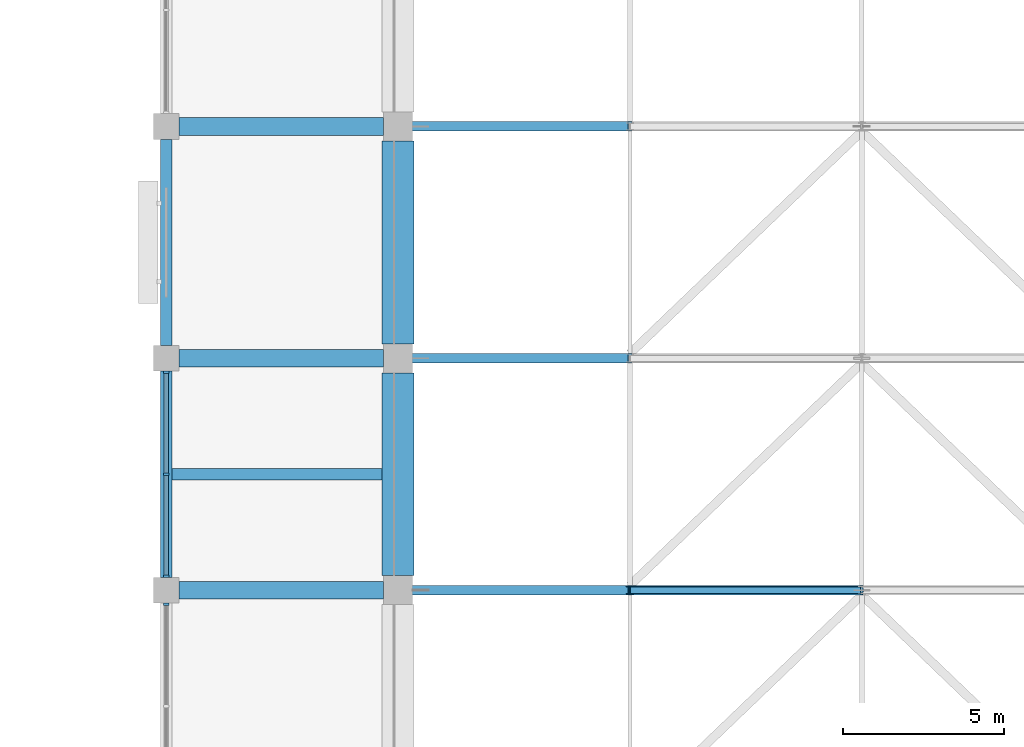
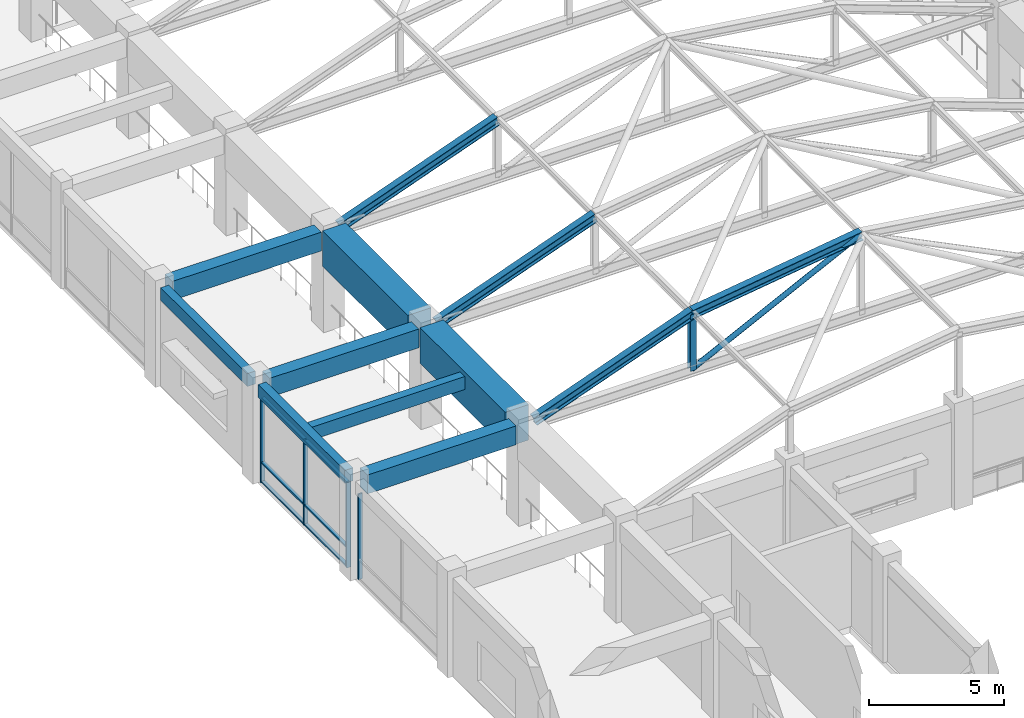
# One storey, part 36 of 75: 16 members, 8 beams, 2 elements without a shape of their own.
"""IFC4 building model written with IfcOpenShell, lengths in metres."""

from ifc_helpers import new_model, si_unit, direction, frame, origin, origin_2d, place, context, subcontext, project, spatial, rectangle, hollow_circle, i_section, extrude, material, layer, layer_set, material_profile, profile_set, type_object, element, aggregate, save


model = new_model("IFC4")

# Units and contexts
model_context = context("Model", 3, precision=1e-05, world=origin(), true_north=direction((0.0, 1.0)))
body_context = subcontext(model_context, "Body", "Model", "MODEL_VIEW")
ifc_project = project(units=[si_unit("LENGTHUNIT", "METRE"), si_unit("AREAUNIT", "SQUARE_METRE"), si_unit("VOLUMEUNIT", "CUBIC_METRE"), si_unit("PLANEANGLEUNIT", "RADIAN"), si_unit("MASSUNIT", "GRAM", prefix="KILO")], contexts=[model_context])

# Site, building, storey
site_placement = place(None, origin())
site = spatial("IfcSite", under=ifc_project, at=site_placement, CompositionType="ELEMENT")
building_placement = place(site_placement, origin())
building = spatial("IfcBuilding", under=site, at=building_placement, Name="Cendaluz Park School", CompositionType="ELEMENT")
storey_placement = place(building_placement, frame((0.0, 0.0, 4.800048828125)))
storey = spatial("IfcBuildingStorey", under=building, at=storey_placement, Name="L01", CompositionType="ELEMENT", Elevation=4.800048828125)

# Beams
ifc_material_1 = material(Name="Concrete C40/50", Category="concrete")
ifc_material_profile_1 = material_profile(ifc_material_1, rectangle(XDim=0.550048828125, YDim=0.85009765625, at=origin_2d()), Name="RC 550x850", Category="concrete")
ifc_profile_set_1 = profile_set([ifc_material_profile_1], Name="Concrete C40/50")
beam_type_1 = type_object("IfcBeamType", Name="BM-RC01", PredefinedType="BEAM", material=ifc_profile_set_1)
for number, where, z_axis, x_axis, name in (
    (1, (130.0, 64.800048828125, 4.0048828125), (1.0, 0.0, 0.0), (0.0, 1.0, 0.0), "BM-L01-BMRC01-0165"),
    (2, (130.0, 72.0, 4.0048828125), (1.0, 0.0, 0.0), (0.0, 1.0, 0.0), "BM-L01-BMRC01-0166"),
    (3, (130.0, 79.199951171875, 4.0048828125), (1.0, 0.0, 0.0), (0.0, 1.0, 0.0), "BM-L01-BMRC01-0167"),
):
    element("IfcBeam", number, at=place(storey_placement, frame(where, z_axis=z_axis, x_axis=x_axis)), inside=storey, type_object=beam_type_1, Name=name, PredefinedType="BEAM", context=body_context, shape_type="SweptSolid", body=[
        extrude(rectangle(XDim=0.550048828125, YDim=0.85009765625, at=origin_2d()), origin(), (0.0, 0.0, 1.0), 6.35009765625),
    ])
ifc_material_profile_2 = material_profile(ifc_material_1, rectangle(XDim=0.35009765625, YDim=0.580078125, at=origin_2d()), Name="RC 350x580", Category="concrete")
ifc_profile_set_2 = profile_set([ifc_material_profile_2], Name="Concrete C40/50")
beam_type_2 = type_object("IfcBeamType", Name="BM-RC04", PredefinedType="LINTEL", material=ifc_profile_set_2)
for number, where, z_axis, x_axis, name in (
    (4, (129.60009765625, 65.199951171875, 4.139892578125), (0.0, 1.0, 0.0), (-1.0, 0.0, 0.0), "BM-L01-BMRC04-0396"),
    (5, (129.60009765625, 72.39990234375, 4.139892578125), (0.0, 1.0, 0.0), (-1.0, 0.0, 0.0), "BM-L01-BMRC04-0397"),
):
    element("IfcBeam", number, at=place(storey_placement, frame(where, z_axis=z_axis, x_axis=x_axis)), inside=storey, type_object=beam_type_2, Name=name, PredefinedType="LINTEL", context=body_context, shape_type="SweptSolid", body=[
        extrude(rectangle(XDim=0.35009765625, YDim=0.580078125, at=origin_2d()), origin(), (0.0, 0.0, 1.0), 6.400146484375),
    ])

# Curtain wall, member
ifc_material_2 = material(Name="Anodised Aluminium 6063-T6", Category="aluminium")
ifc_layer = layer(ifc_material_2, 0.179931640625)
ifc_layer_set = layer_set([ifc_layer], Name="Anodised Aluminium 6063-T6")
curtain_wall_type = type_object("IfcCurtainWallType", Name="CW-128x77", PredefinedType="NOTDEFINED", material=ifc_layer_set)
curtain_wall_1_placement = place(storey_placement, origin())
curtain_wall_1 = element("IfcCurtainWall", 6, at=curtain_wall_1_placement, inside=storey, type_object=curtain_wall_type, Name="CW-L01-062", PredefinedType="NOTDEFINED")
ifc_material_profile_3 = material_profile(ifc_material_2, rectangle(XDim=0.179931640625, YDim=0.070068359375, at=origin_2d()), Name="CWM 180x70", Category="aluminium")
ifc_profile_set_3 = profile_set([ifc_material_profile_3], Name="Anodised Aluminium 6063-T6")
member_type_1 = type_object("IfcMemberType", Name="CWM-01", PredefinedType="MULLION", material=ifc_profile_set_3)
member_1_placement = place(storey_placement, frame((129.60009765625, 64.364990234375, 0.0), z_axis=(0.0, 0.0, 1.0), x_axis=(-1.0, 0.0, 0.0)))
member_1 = element("IfcMember", 7, at=member_1_placement, type_object=member_type_1, Name="CP-L01-0796", PredefinedType="MULLION", context=body_context, shape_type="SweptSolid", body=[
    extrude(rectangle(XDim=0.179931640625, YDim=0.070068359375, at=origin_2d()), origin(), (0.0, 0.0, 1.0), 3.849853515625),
])
aggregate(curtain_wall_1, [member_1])

# Curtain wall, members
curtain_wall_2_placement = place(storey_placement, origin())
curtain_wall_2 = element("IfcCurtainWall", 8, at=curtain_wall_2_placement, inside=storey, type_object=curtain_wall_type, Name="CW-L01-063", PredefinedType="NOTDEFINED")
member_2_placement = place(storey_placement, frame((129.60009765625, 65.235107421875, 0.0), z_axis=(0.0, 0.0, 1.0), x_axis=(-1.0, 0.0, 0.0)))
member_2 = element("IfcMember", 9, at=member_2_placement, type_object=member_type_1, Name="CP-L01-0807", PredefinedType="MULLION", context=body_context, shape_type="SweptSolid", body=[
    extrude(rectangle(XDim=0.179931640625, YDim=0.070068359375, at=origin_2d()), origin(), (0.0, 0.0, 1.0), 3.849853515625),
])
member_3_placement = place(storey_placement, frame((129.60009765625, 68.39990234375, 0.0), z_axis=(0.0, 0.0, 1.0), x_axis=(-1.0, 0.0, 0.0)))
member_3 = element("IfcMember", 10, at=member_3_placement, type_object=member_type_1, Name="CP-L01-0808", PredefinedType="MULLION", context=body_context, shape_type="SweptSolid", body=[
    extrude(rectangle(XDim=0.179931640625, YDim=0.070068359375, at=origin_2d()), origin(), (0.0, 0.0, 1.0), 3.849853515625),
])
member_4_placement = place(storey_placement, frame((129.60009765625, 71.56494140625, 0.0), z_axis=(0.0, 0.0, 1.0), x_axis=(-1.0, 0.0, 0.0)))
member_4 = element("IfcMember", 11, at=member_4_placement, type_object=member_type_1, Name="CP-L01-0809", PredefinedType="MULLION", context=body_context, shape_type="SweptSolid", body=[
    extrude(rectangle(XDim=0.179931640625, YDim=0.070068359375, at=origin_2d()), origin(), (0.0, 0.0, 1.0), 3.849853515625),
])
ifc_material_profile_4 = material_profile(ifc_material_2, rectangle(XDim=0.139892578125, YDim=0.070068359375, at=origin_2d()), Name="CWT 140x70", Category="aluminium")
ifc_profile_set_4 = profile_set([ifc_material_profile_4], Name="Anodised Aluminium 6063-T6")
member_type_2 = type_object("IfcMemberType", Name="CWT-01", PredefinedType="USERDEFINED", material=ifc_profile_set_4)
member_5_placement = place(storey_placement, frame((129.60009765625, 65.27001953125, 0.034912109375), z_axis=(0.0, 1.0, 0.0), x_axis=(-1.0, 0.0, 0.0)))
member_5 = element("IfcMember", 12, at=member_5_placement, type_object=member_type_2, Name="CP-L01-0810", ObjectType="TRANSOM", PredefinedType="USERDEFINED", context=body_context, shape_type="SweptSolid", body=[
    extrude(rectangle(XDim=0.139892578125, YDim=0.070068359375, at=origin_2d()), origin(), (0.0, 0.0, 1.0), 3.094970703125),
])
member_6_placement = place(storey_placement, frame((129.60009765625, 65.27001953125, 0.89990234375), z_axis=(0.0, 1.0, 0.0), x_axis=(-1.0, 0.0, 0.0)))
member_6 = element("IfcMember", 13, at=member_6_placement, type_object=member_type_2, Name="CP-L01-0811", ObjectType="TRANSOM", PredefinedType="USERDEFINED", context=body_context, shape_type="SweptSolid", body=[
    extrude(rectangle(XDim=0.139892578125, YDim=0.070068359375, at=origin_2d()), origin(), (0.0, 0.0, 1.0), 3.094970703125),
])
member_7_placement = place(storey_placement, frame((129.60009765625, 65.27001953125, 3.81494140625), z_axis=(0.0, 1.0, 0.0), x_axis=(-1.0, 0.0, 0.0)))
member_7 = element("IfcMember", 14, at=member_7_placement, type_object=member_type_2, Name="CP-L01-0812", ObjectType="TRANSOM", PredefinedType="USERDEFINED", context=body_context, shape_type="SweptSolid", body=[
    extrude(rectangle(XDim=0.139892578125, YDim=0.070068359375, at=origin_2d()), origin(), (0.0, 0.0, 1.0), 3.094970703125),
])
member_8_placement = place(storey_placement, frame((129.60009765625, 68.43505859375, 0.034912109375), z_axis=(0.0, 1.0, 0.0), x_axis=(-1.0, 0.0, 0.0)))
member_8 = element("IfcMember", 15, at=member_8_placement, type_object=member_type_2, Name="CP-L01-0815", ObjectType="TRANSOM", PredefinedType="USERDEFINED", context=body_context, shape_type="SweptSolid", body=[
    extrude(rectangle(XDim=0.139892578125, YDim=0.070068359375, at=origin_2d()), origin(), (0.0, 0.0, 1.0), 3.094970703125),
])
member_9_placement = place(storey_placement, frame((129.60009765625, 68.43505859375, 0.89990234375), z_axis=(0.0, 1.0, 0.0), x_axis=(-1.0, 0.0, 0.0)))
member_9 = element("IfcMember", 16, at=member_9_placement, type_object=member_type_2, Name="CP-L01-0816", ObjectType="TRANSOM", PredefinedType="USERDEFINED", context=body_context, shape_type="SweptSolid", body=[
    extrude(rectangle(XDim=0.139892578125, YDim=0.070068359375, at=origin_2d()), origin(), (0.0, 0.0, 1.0), 3.094970703125),
])
member_10_placement = place(storey_placement, frame((129.60009765625, 68.43505859375, 3.81494140625), z_axis=(0.0, 1.0, 0.0), x_axis=(-1.0, 0.0, 0.0)))
member_10 = element("IfcMember", 17, at=member_10_placement, type_object=member_type_2, Name="CP-L01-0817", ObjectType="TRANSOM", PredefinedType="USERDEFINED", context=body_context, shape_type="SweptSolid", body=[
    extrude(rectangle(XDim=0.139892578125, YDim=0.070068359375, at=origin_2d()), origin(), (0.0, 0.0, 1.0), 3.094970703125),
])
aggregate(curtain_wall_2, [member_2, member_3, member_4, member_5, member_6, member_7, member_8, member_9, member_10])

# Beam
ifc_material_profile_5 = material_profile(ifc_material_1, rectangle(XDim=0.35009765625, YDim=0.580078125, at=origin_2d()), Name="RC 350x580", Category="concrete")
ifc_profile_set_5 = profile_set([ifc_material_profile_5], Name="Concrete C40/50")
beam_type_3 = type_object("IfcBeamType", Name="JT-RC01", PredefinedType="JOIST", material=ifc_profile_set_5)
beam_placement = place(storey_placement, frame((129.77490234375, 68.39990234375, 4.139892578125), z_axis=(1.0, 0.0, 0.0), x_axis=(0.0, 1.0, 0.0)))
element("IfcBeam", 18, at=beam_placement, inside=storey, type_object=beam_type_3, Name="BM-L01-JTRC01-0510", PredefinedType="JOIST", context=body_context, shape_type="SweptSolid", body=[
    extrude(rectangle(XDim=0.35009765625, YDim=0.580078125, at=origin_2d()), origin(), (0.0, 0.0, 1.0), 6.525146484375),
])

# Members
ifc_material_3 = material(Name="Steel S355", Category="steel")
ifc_material_profile_6 = material_profile(ifc_material_3, i_section(OverallWidth=0.300048828125, OverallDepth=0.39990234375, WebThickness=0.013916015625, FlangeThickness=0.02392578125, FilletRadius=0.027099609375, at=origin_2d()), Name="HEB 400", Category="steel")
ifc_profile_set_6 = profile_set([ifc_material_profile_6], Name="Steel S355")
member_type_3 = type_object("IfcMemberType", Name="MB-CH01", PredefinedType="CHORD", material=ifc_profile_set_6)
member_11_placement = place(storey_placement, frame((137.25, 64.800048828125, 4.219970703125), z_axis=(0.939102267455, 0.0, 0.343637790793), x_axis=(0.0, 1.0, 0.0)))
element("IfcMember", 19, at=member_11_placement, inside=storey, type_object=member_type_3, Name="MB-L01-MBCH01-0095", PredefinedType="CHORD", context=body_context, shape_type="SweptSolid", body=[
    extrude(i_section(OverallWidth=0.300048828125, OverallDepth=0.39990234375, WebThickness=0.013916015625, FlangeThickness=0.02392578125, FilletRadius=0.027099609375, at=origin_2d()), origin(), (0.0, 0.0, 1.0), 7.187744140625),
])
member_12_placement = place(storey_placement, frame((144.0, 64.800048828125, 6.68994140625), z_axis=(0.990113333567, 0.0, 0.140269692708), x_axis=(0.0, 1.0, 0.0)))
element("IfcMember", 20, at=member_12_placement, inside=storey, type_object=member_type_3, Name="MB-L01-MBCH01-0096", PredefinedType="CHORD", context=body_context, shape_type="SweptSolid", body=[
    extrude(i_section(OverallWidth=0.300048828125, OverallDepth=0.39990234375, WebThickness=0.013916015625, FlangeThickness=0.02392578125, FilletRadius=0.027099609375, at=origin_2d()), origin(), (0.0, 0.0, 1.0), 7.271728515625),
])
for number, where, z_axis, x_axis, name in (
    (21, (137.25, 72.0, 4.219970703125), (0.939102267455, 0.0, 0.343637790793), (0.0, 1.0, 0.0), "MB-L01-MBCH01-0104"),
    (22, (137.25, 79.199951171875, 4.219970703125), (0.939102267455, 0.0, 0.343637790793), (0.0, 1.0, 0.0), "MB-L01-MBCH01-0113"),
):
    element("IfcMember", number, at=place(storey_placement, frame(where, z_axis=z_axis, x_axis=x_axis)), inside=storey, type_object=member_type_3, Name=name, PredefinedType="CHORD", context=body_context, shape_type="SweptSolid", body=[
        extrude(i_section(OverallWidth=0.300048828125, OverallDepth=0.39990234375, WebThickness=0.013916015625, FlangeThickness=0.02392578125, FilletRadius=0.027099609375, at=origin_2d()), origin(), (0.0, 0.0, 1.0), 7.187744140625),
    ])
ifc_material_profile_7 = material_profile(ifc_material_3, hollow_circle(Radius=0.109619140625, WallThickness=0.010009765625, at=origin_2d()), Name="CHS 219x10", Category="steel")
ifc_profile_set_7 = profile_set([ifc_material_profile_7], Name="Steel S355")
member_type_4 = type_object("IfcMemberType", Name="MBR-02", PredefinedType="BRACE", material=ifc_profile_set_7)
member_13_placement = place(storey_placement, frame((144.0, 64.800048828125, 4.14990234375), z_axis=(0.896406248188, 0.0, 0.443233390224), x_axis=(0.0, 1.0, 0.0)))
element("IfcMember", 23, at=member_13_placement, inside=storey, type_object=member_type_4, Name="MB-L01-MBBR02-0102", PredefinedType="BRACE", context=body_context, shape_type="SweptSolid", body=[
    extrude(hollow_circle(Radius=0.109619140625, WallThickness=0.010009765625, at=origin_2d()), origin(), (0.0, 0.0, 1.0), 8.031982421875),
])
ifc_material_profile_8 = material_profile(ifc_material_3, i_section(OverallWidth=0.239990234375, OverallDepth=0.22998046875, WebThickness=0.008056640625, FlangeThickness=0.011962890625, FilletRadius=0.02099609375, at=origin_2d()), Name="HEA 240", Category="steel")
ifc_profile_set_8 = profile_set([ifc_material_profile_8], Name="Steel S355")
member_type_5 = type_object("IfcMemberType", Name="MST-01", PredefinedType="STRUT", material=ifc_profile_set_8)
member_14_placement = place(storey_placement, frame((144.0, 64.800048828125, 4.14990234375), z_axis=(0.0, 0.0, 1.0), x_axis=(1.0, 0.0, 0.0)))
element("IfcMember", 24, at=member_14_placement, inside=storey, type_object=member_type_5, Name="MB-L01-MBST01-0099", PredefinedType="STRUT", context=body_context, shape_type="SweptSolid", body=[
    extrude(i_section(OverallWidth=0.239990234375, OverallDepth=0.22998046875, WebThickness=0.008056640625, FlangeThickness=0.011962890625, FilletRadius=0.02099609375, at=origin_2d()), origin(), (0.0, 0.0, 1.0), 2.5400390625),
])

# Beams
ifc_material_profile_9 = material_profile(ifc_material_1, rectangle(XDim=1.0, YDim=1.60009765625, at=origin_2d()), Name="RC 1000x1600", Category="concrete")
ifc_profile_set_9 = profile_set([ifc_material_profile_9], Name="Concrete C40/50")
beam_type_4 = type_object("IfcBeamType", Name="TG-RC01", PredefinedType="BEAM", material=ifc_profile_set_9)
for number, where, z_axis, x_axis, name in (
    (25, (136.800048828125, 65.25, 3.820068359375), (0.0, 1.0, 0.0), (-1.0, 0.0, 0.0), "Barrel Vault Collector Girder BM-L01-TGRC01-0412"),
    (26, (136.800048828125, 72.449951171875, 3.820068359375), (0.0, 1.0, 0.0), (-1.0, 0.0, 0.0), "Barrel Vault Collector Girder BM-L01-TGRC01-0413"),
):
    element("IfcBeam", number, at=place(storey_placement, frame(where, z_axis=z_axis, x_axis=x_axis)), inside=storey, type_object=beam_type_4, Name=name, PredefinedType="BEAM", context=body_context, shape_type="SweptSolid", body=[
        extrude(rectangle(XDim=1.0, YDim=1.60009765625, at=origin_2d()), origin(), (0.0, 0.0, 1.0), 6.300048828125),
    ])

save(model, "model.ifc")
